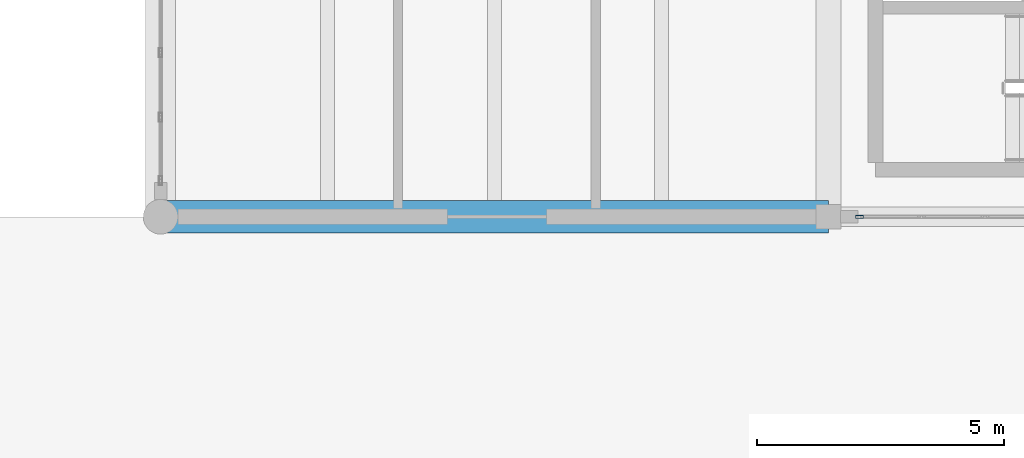
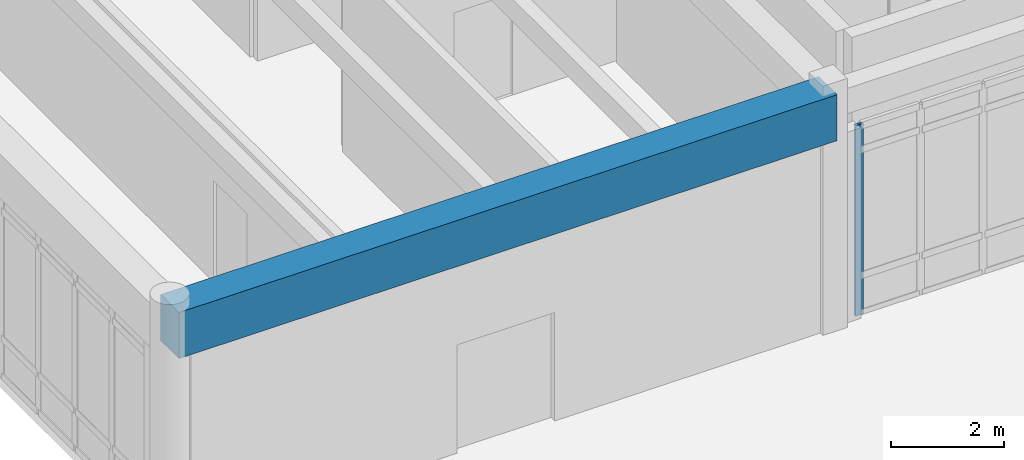
# One storey, part 46 of 138: 1 beam, 1 member, 1 element without a shape of its own.
"""IFC4 building model written with IfcOpenShell, lengths in metres."""

from ifc_helpers import new_model, si_unit, direction, frame, origin, origin_2d, place, context, subcontext, project, spatial, rectangle, hollow_rectangle, extrude, material, layer, layer_set, material_profile, profile_set, type_object, element, aggregate, save


model = new_model("IFC4")

# Units and contexts
model_context = context("Model", 3, precision=1e-05, world=origin(), true_north=direction((0.0, 1.0)))
body_context = subcontext(model_context, "Body", "Model", "MODEL_VIEW")
ifc_project = project(units=[si_unit("LENGTHUNIT", "METRE"), si_unit("AREAUNIT", "SQUARE_METRE"), si_unit("VOLUMEUNIT", "CUBIC_METRE"), si_unit("PLANEANGLEUNIT", "RADIAN"), si_unit("MASSUNIT", "GRAM", prefix="KILO")], contexts=[model_context])

# Site, building, storey
site_placement = place(None, origin())
site = spatial("IfcSite", under=ifc_project, at=site_placement, CompositionType="ELEMENT")
building_placement = place(site_placement, origin())
building = spatial("IfcBuilding", under=site, at=building_placement, Name="Fikremerkos Civic Library", CompositionType="ELEMENT")
storey_placement = place(building_placement, origin())
storey = spatial("IfcBuildingStorey", under=building, at=storey_placement, Name="L00", CompositionType="ELEMENT", Elevation=0.0)

# Curtain wall, member
ifc_material_1 = material(Name="Anodized aluminium Frame", Category="aluminium")
ifc_layer = layer(ifc_material_1, 0.159912109375, Name="Anodized aluminium Frame")
ifc_layer_set = layer_set([ifc_layer], Name="Anodized aluminium Frame")
curtain_wall_type = type_object("IfcCurtainWallType", Name="Unitised curtain wall CW-18 2700x3400", PredefinedType="USERDEFINED", material=ifc_layer_set)
curtain_wall_placement = place(storey_placement, origin())
curtain_wall = element("IfcCurtainWall", 1, at=curtain_wall_placement, inside=storey, type_object=curtain_wall_type, Name="Unitised curtain wall CW-18 L00 #36", ObjectType="UNITISED CURTAIN WALL", PredefinedType="USERDEFINED")
ifc_material_profile_1 = material_profile(ifc_material_1, hollow_rectangle(XDim=0.06005859375, YDim=0.159912109375, WallThickness=0.00390625, at=origin_2d()), Name="ALU 160x60x4")
ifc_profile_set_1 = profile_set([ifc_material_profile_1], Name="Anodized aluminium Frame")
member_type = type_object("IfcMemberType", Name="Curtain mullion CWM-02 ALU 160x60x4", PredefinedType="MULLION", material=ifc_profile_set_1)
member_placement = place(storey_placement, frame((73.827880859375, 96.0, 0.0), z_axis=(0.0, 0.0, 1.0), x_axis=(0.0, -1.0, 0.0)))
member = element("IfcMember", 2, at=member_placement, type_object=member_type, Name="CW-18 mullion 4", PredefinedType="MULLION", context=body_context, shape_type="SweptSolid", body=[
    extrude(hollow_rectangle(XDim=0.06005859375, YDim=0.159912109375, WallThickness=0.00390625, at=origin_2d()), origin(), (0.0, 0.0, 1.0), 4.1298828125),
])
aggregate(curtain_wall, [member])

# Beam
ifc_material_2 = material(Name="Concrete C45/55", Category="concrete")
ifc_material_profile_2 = material_profile(ifc_material_2, rectangle(XDim=0.64990234375, YDim=1.0, at=origin_2d()), Name="RC 650x1000")
ifc_profile_set_2 = profile_set([ifc_material_profile_2], Name="Concrete C45/55")
beam_type = type_object("IfcBeamType", Name="Primary girder BM-25 RC 650x1000", PredefinedType="BEAM", material=ifc_profile_set_2)
beam_placement = place(storey_placement, frame((59.699951171875, 96.0, 4.679931640625), z_axis=(1.0, 0.0, 0.0), x_axis=(0.0, 1.0, 0.0)))
element("IfcBeam", 3, at=beam_placement, inside=storey, type_object=beam_type, Name="Primary girder BM-25 L00 grid M", PredefinedType="BEAM", context=body_context, shape_type="SweptSolid", body=[
    extrude(rectangle(XDim=0.64990234375, YDim=1.0, at=origin_2d()), origin(), (0.0, 0.0, 1.0), 13.5),
])

save(model, "model.ifc")
